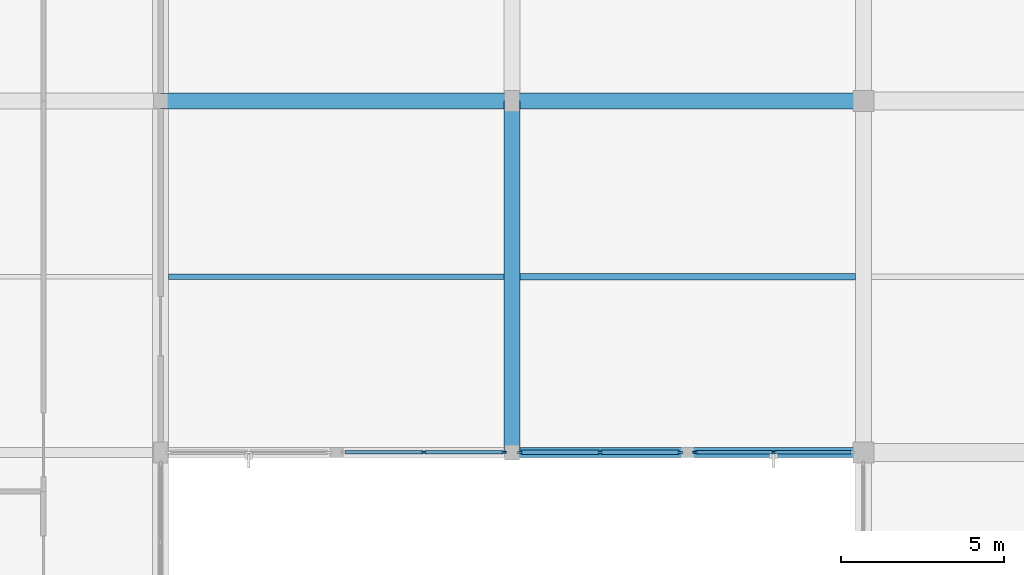
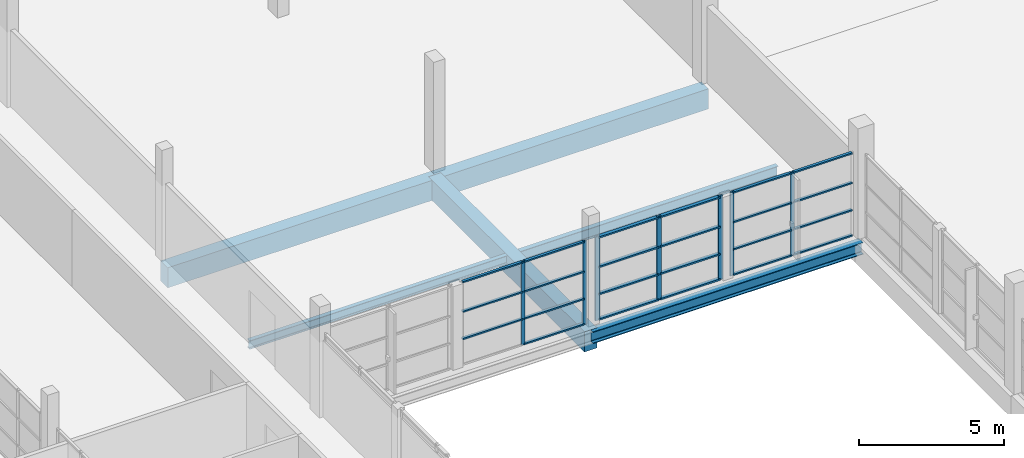
# One storey, part 35 of 142: 30 members, 6 beams, 3 elements without a shape of their own.
"""IFC4 building model written with IfcOpenShell, lengths in metres."""

from ifc_helpers import new_model, si_unit, direction, frame, origin, origin_2d, place, context, subcontext, project, spatial, rectangle, i_section, extrude, material, material_profile, profile_set, type_object, element, aggregate, save


model = new_model("IFC4")

# Units and contexts
model_context = context("Model", 3, precision=1e-05, world=origin(), true_north=direction((0.0, 1.0)))
body_context = subcontext(model_context, "Body", "Model", "MODEL_VIEW")
ifc_project = project(units=[si_unit("LENGTHUNIT", "METRE"), si_unit("AREAUNIT", "SQUARE_METRE"), si_unit("VOLUMEUNIT", "CUBIC_METRE"), si_unit("PLANEANGLEUNIT", "RADIAN"), si_unit("MASSUNIT", "GRAM", prefix="KILO")], contexts=[model_context])

# Site, building, storey
site_placement = place(None, origin())
site = spatial("IfcSite", under=ifc_project, at=site_placement, CompositionType="ELEMENT")
building_placement = place(site_placement, origin())
building = spatial("IfcBuilding", under=site, at=building_placement, Name="Zwinboog Wholesale Market", CompositionType="ELEMENT")
storey_placement = place(building_placement, frame((0.0, 0.0, 5.39990234375)))
storey = spatial("IfcBuildingStorey", under=building, at=storey_placement, Name="L01", CompositionType="ELEMENT", Elevation=5.39990234375)

# Beams
ifc_material_1 = material(Name="Precast concrete C45/55", Category="concrete")
ifc_material_profile_1 = material_profile(ifc_material_1, rectangle(XDim=0.5, YDim=0.85009765625, at=origin_2d()), Name="PC 500x850")
ifc_profile_set_1 = profile_set([ifc_material_profile_1], Name="Precast concrete C45/55")
beam_type_1 = type_object("IfcBeamType", Name="BT-03", PredefinedType="BEAM", material=ifc_profile_set_1)
for number, where, z_axis, x_axis, name in (
    (1, (43.199951171875, 75.60009765625, -0.7568359375), (1.0, 0.0, 0.0), (0.0, 1.0, 0.0), "BG-03 (BMG-L01-0432-0756-0503)"),
    (2, (54.0, 75.60009765625, -0.7568359375), (1.0, 0.0, 0.0), (0.0, 1.0, 0.0), "BG-03 (BMG-L01-0540-0756-0504)"),
    (3, (54.0, 64.800048828125, -0.7568359375), (0.0, 1.0, 0.0), (-1.0, 0.0, 0.0), "BG-03 (BMG-L01-0540-0648-0659)"),
):
    element("IfcBeam", number, at=place(storey_placement, frame(where, z_axis=z_axis, x_axis=x_axis)), inside=storey, type_object=beam_type_1, Name=name, PredefinedType="BEAM", context=body_context, shape_type="SweptSolid", body=[
        extrude(rectangle(XDim=0.5, YDim=0.85009765625, at=origin_2d()), origin(), (0.0, 0.0, 1.0), 10.800048828125),
    ])
ifc_material_2 = material(Name="Steel S355", Category="steel")
ifc_material_profile_2 = material_profile(ifc_material_2, i_section(OverallWidth=0.300048828125, OverallDepth=0.5, WebThickness=0.014404296875, FlangeThickness=0.028076171875, FilletRadius=0.027099609375, at=origin_2d()), Name="HEB 500")
ifc_profile_set_2 = profile_set([ifc_material_profile_2], Name="Steel S355")
beam_type_2 = type_object("IfcBeamType", Name="BT-14", PredefinedType="BEAM", material=ifc_profile_set_2)
beam_1_placement = place(storey_placement, frame((54.0, 64.800048828125, -0.581787109375), z_axis=(1.0, 0.0, 0.0), x_axis=(0.0, 1.0, 0.0)))
element("IfcBeam", 4, at=beam_1_placement, inside=storey, type_object=beam_type_2, Name="SB-01 (BMG-L01-0540-0648-0494)", PredefinedType="BEAM", context=body_context, shape_type="SweptSolid", body=[
    extrude(i_section(OverallWidth=0.300048828125, OverallDepth=0.5, WebThickness=0.014404296875, FlangeThickness=0.028076171875, FilletRadius=0.027099609375, at=origin_2d()), origin(), (0.0, 0.0, 1.0), 10.800048828125),
])
ifc_material_profile_3 = material_profile(ifc_material_2, i_section(OverallWidth=0.18994140625, OverallDepth=0.449951171875, WebThickness=0.009521484375, FlangeThickness=0.0146484375, FilletRadius=0.02099609375, at=origin_2d()), Name="IPE 450")
ifc_profile_set_3 = profile_set([ifc_material_profile_3], Name="Steel S355")
beam_type_3 = type_object("IfcBeamType", Name="BT-19", PredefinedType="JOIST", material=ifc_profile_set_3)
beam_2_placement = place(storey_placement, frame((54.25, 70.199951171875, -0.556884765625), z_axis=(1.0, 0.0, 0.0), x_axis=(0.0, 1.0, 0.0)))
element("IfcBeam", 5, at=beam_2_placement, inside=storey, type_object=beam_type_3, Name="SJ-02 (BMG-L01-0542-0702-0813)", PredefinedType="JOIST", context=body_context, shape_type="SweptSolid", body=[
    extrude(i_section(OverallWidth=0.18994140625, OverallDepth=0.449951171875, WebThickness=0.009521484375, FlangeThickness=0.0146484375, FilletRadius=0.02099609375, at=origin_2d()), origin(), (0.0, 0.0, 1.0), 10.300048828125),
])
ifc_material_profile_4 = material_profile(ifc_material_2, i_section(OverallWidth=0.169921875, OverallDepth=0.360107421875, WebThickness=0.008056640625, FlangeThickness=0.0126953125, FilletRadius=0.01806640625, at=origin_2d()), Name="IPE 360")
ifc_profile_set_4 = profile_set([ifc_material_profile_4], Name="Steel S355")
beam_type_4 = type_object("IfcBeamType", Name="BT-20", PredefinedType="JOIST", material=ifc_profile_set_4)
beam_3_placement = place(storey_placement, frame((43.449951171875, 70.199951171875, -0.511962890625), z_axis=(1.0, 0.0, 0.0), x_axis=(0.0, 1.0, 0.0)))
element("IfcBeam", 6, at=beam_3_placement, inside=storey, type_object=beam_type_4, Name="SJ-03 (BMG-L01-0434-0702-0809)", PredefinedType="JOIST", context=body_context, shape_type="SweptSolid", body=[
    extrude(i_section(OverallWidth=0.169921875, OverallDepth=0.360107421875, WebThickness=0.008056640625, FlangeThickness=0.0126953125, FilletRadius=0.01806640625, at=origin_2d()), origin(), (0.0, 0.0, 1.0), 10.300048828125),
])

# Curtain wall, members
ifc_material_3 = material(Name="Aluminium thermally broken curtain wall", Category="aluminium")
curtain_wall_type_1 = type_object("IfcCurtainWallType", Name="CWT-CAFE-22", PredefinedType="USERDEFINED", material=ifc_material_3)
curtain_wall_1_placement = place(storey_placement, origin())
curtain_wall_1 = element("IfcCurtainWall", 7, at=curtain_wall_1_placement, inside=storey, type_object=curtain_wall_type_1, Name="CW-05 (CW-L01-083)", ObjectType="STOREFRONT_GLAZING", PredefinedType="USERDEFINED")
ifc_material_4 = material(Name="Aluminium EN AW-6060", Category="aluminium")
ifc_material_profile_5 = material_profile(ifc_material_4, rectangle(XDim=0.06494140625, YDim=0.179931640625, at=origin_2d()), Name="AL 65x180")
ifc_profile_set_5 = profile_set([ifc_material_profile_5], Name="Aluminium EN AW-6060")
member_type_1 = type_object("IfcMemberType", Name="CWM-65x180", PredefinedType="MULLION", material=ifc_profile_set_5)
member_1_placement = place(storey_placement, frame((54.25244140625, 64.800048828125, 0.0), z_axis=(0.0, 0.0, 1.0), x_axis=(0.0, 1.0, 0.0)))
member_1 = element("IfcMember", 8, at=member_1_placement, type_object=member_type_1, Name="CW-05 mullion 1", PredefinedType="MULLION", context=body_context, shape_type="SweptSolid", body=[
    extrude(rectangle(XDim=0.06494140625, YDim=0.179931640625, at=origin_2d()), origin(), (0.0, 0.0, 1.0), 3.530029296875),
])
member_2_placement = place(storey_placement, frame((56.7099609375, 64.800048828125, 0.0), z_axis=(0.0, 0.0, 1.0), x_axis=(0.0, 1.0, 0.0)))
member_2 = element("IfcMember", 9, at=member_2_placement, type_object=member_type_1, Name="CW-05 mullion 2", PredefinedType="MULLION", context=body_context, shape_type="SweptSolid", body=[
    extrude(rectangle(XDim=0.06494140625, YDim=0.179931640625, at=origin_2d()), origin(), (0.0, 0.0, 1.0), 3.530029296875),
])
member_3_placement = place(storey_placement, frame((59.16748046875, 64.800048828125, 0.0), z_axis=(0.0, 0.0, 1.0), x_axis=(0.0, 1.0, 0.0)))
member_3 = element("IfcMember", 10, at=member_3_placement, type_object=member_type_1, Name="CW-05 mullion 3", PredefinedType="MULLION", context=body_context, shape_type="SweptSolid", body=[
    extrude(rectangle(XDim=0.06494140625, YDim=0.179931640625, at=origin_2d()), origin(), (0.0, 0.0, 1.0), 3.530029296875),
])

curtain_wall_type_2 = type_object("IfcCurtainWallType", Name="CWT-GAL-16", PredefinedType="USERDEFINED", material=ifc_material_3)
curtain_wall_2_placement = place(storey_placement, origin())
curtain_wall_2 = element("IfcCurtainWall", 11, at=curtain_wall_2_placement, inside=storey, type_object=curtain_wall_type_2, Name="CW-04 (CW-L01-082)", ObjectType="UNITIZED_CURTAIN_WALL", PredefinedType="USERDEFINED")
ifc_material_profile_6 = material_profile(ifc_material_4, rectangle(XDim=0.06005859375, YDim=0.14990234375, at=origin_2d()), Name="AL 60x150")
ifc_profile_set_6 = profile_set([ifc_material_profile_6], Name="Aluminium EN AW-6060")
member_type_2 = type_object("IfcMemberType", Name="CWM-60x150", PredefinedType="MULLION", material=ifc_profile_set_6)
member_4_placement = place(storey_placement, frame((51.2900390625, 64.800048828125, 0.0), z_axis=(0.0, 0.0, 1.0), x_axis=(0.0, 1.0, 0.0)))
member_4 = element("IfcMember", 12, at=member_4_placement, type_object=member_type_2, Name="CW-04 mullion 2", PredefinedType="MULLION", context=body_context, shape_type="SweptSolid", body=[
    extrude(rectangle(XDim=0.06005859375, YDim=0.14990234375, at=origin_2d()), origin(), (0.0, 0.0, 1.0), 3.530029296875),
])
member_5_placement = place(storey_placement, frame((53.75, 64.800048828125, 0.0), z_axis=(0.0, 0.0, 1.0), x_axis=(0.0, 1.0, 0.0)))
member_5 = element("IfcMember", 13, at=member_5_placement, type_object=member_type_2, Name="CW-04 mullion 3", PredefinedType="MULLION", context=body_context, shape_type="SweptSolid", body=[
    extrude(rectangle(XDim=0.06005859375, YDim=0.14990234375, at=origin_2d()), origin(), (0.0, 0.0, 1.0), 3.530029296875),
])

curtain_wall_type_3 = type_object("IfcCurtainWallType", Name="CWT-OFF-15", PredefinedType="USERDEFINED", material=ifc_material_3)
curtain_wall_3_placement = place(storey_placement, origin())
curtain_wall_3 = element("IfcCurtainWall", 14, at=curtain_wall_3_placement, inside=storey, type_object=curtain_wall_type_3, Name="CW-06 (CW-L01-084)", ObjectType="UNITIZED_CURTAIN_WALL", PredefinedType="USERDEFINED")
member_6_placement = place(storey_placement, frame((59.6298828125, 64.800048828125, 0.0), z_axis=(0.0, 0.0, 1.0), x_axis=(0.0, 1.0, 0.0)))
member_6 = element("IfcMember", 15, at=member_6_placement, type_object=member_type_2, Name="CW-06 mullion 1", PredefinedType="MULLION", context=body_context, shape_type="SweptSolid", body=[
    extrude(rectangle(XDim=0.06005859375, YDim=0.14990234375, at=origin_2d()), origin(), (0.0, 0.0, 1.0), 3.530029296875),
])
member_7_placement = place(storey_placement, frame((62.0400390625, 64.800048828125, 0.0), z_axis=(0.0, 0.0, 1.0), x_axis=(0.0, 1.0, 0.0)))
member_7 = element("IfcMember", 16, at=member_7_placement, type_object=member_type_2, Name="CW-06 mullion 2", PredefinedType="MULLION", context=body_context, shape_type="SweptSolid", body=[
    extrude(rectangle(XDim=0.06005859375, YDim=0.14990234375, at=origin_2d()), origin(), (0.0, 0.0, 1.0), 3.530029296875),
])

# Member
ifc_material_profile_7 = material_profile(ifc_material_4, rectangle(XDim=0.139892578125, YDim=0.06494140625, at=origin_2d()), Name="AL 65x140")
ifc_profile_set_7 = profile_set([ifc_material_profile_7], Name="Aluminium EN AW-6060")
member_type_3 = type_object("IfcMemberType", Name="CWT-65x140", PredefinedType="USERDEFINED", material=ifc_profile_set_7)
member_8_placement = place(storey_placement, frame((54.284912109375, 64.800048828125, 0.03271484375), z_axis=(1.0, 0.0, 0.0), x_axis=(0.0, 1.0, 0.0)))
member_8 = element("IfcMember", 17, at=member_8_placement, type_object=member_type_3, Name="CW-05 transom 1.1", ObjectType="TRANSOM", PredefinedType="USERDEFINED", context=body_context, shape_type="SweptSolid", body=[
    extrude(rectangle(XDim=0.139892578125, YDim=0.06494140625, at=origin_2d()), origin(), (0.0, 0.0, 1.0), 2.392578125),
])

member_9_placement = place(storey_placement, frame((54.284912109375, 64.800048828125, 1.10009765625), z_axis=(1.0, 0.0, 0.0), x_axis=(0.0, 1.0, 0.0)))
member_9 = element("IfcMember", 18, at=member_9_placement, type_object=member_type_3, Name="CW-05 transom 1.2", ObjectType="TRANSOM", PredefinedType="USERDEFINED", context=body_context, shape_type="SweptSolid", body=[
    extrude(rectangle(XDim=0.139892578125, YDim=0.06494140625, at=origin_2d()), origin(), (0.0, 0.0, 1.0), 2.392578125),
])

member_10_placement = place(storey_placement, frame((54.284912109375, 64.800048828125, 2.25), z_axis=(1.0, 0.0, 0.0), x_axis=(0.0, 1.0, 0.0)))
member_10 = element("IfcMember", 19, at=member_10_placement, type_object=member_type_3, Name="CW-05 transom 1.3", ObjectType="TRANSOM", PredefinedType="USERDEFINED", context=body_context, shape_type="SweptSolid", body=[
    extrude(rectangle(XDim=0.139892578125, YDim=0.06494140625, at=origin_2d()), origin(), (0.0, 0.0, 1.0), 2.392578125),
])

member_11_placement = place(storey_placement, frame((54.284912109375, 64.800048828125, 3.49755859375), z_axis=(1.0, 0.0, 0.0), x_axis=(0.0, 1.0, 0.0)))
member_11 = element("IfcMember", 20, at=member_11_placement, type_object=member_type_3, Name="CW-05 transom 1.4", ObjectType="TRANSOM", PredefinedType="USERDEFINED", context=body_context, shape_type="SweptSolid", body=[
    extrude(rectangle(XDim=0.139892578125, YDim=0.06494140625, at=origin_2d()), origin(), (0.0, 0.0, 1.0), 2.392578125),
])

member_12_placement = place(storey_placement, frame((56.742431640625, 64.800048828125, 0.03271484375), z_axis=(1.0, 0.0, 0.0), x_axis=(0.0, 1.0, 0.0)))
member_12 = element("IfcMember", 21, at=member_12_placement, type_object=member_type_3, Name="CW-05 transom 2.1", ObjectType="TRANSOM", PredefinedType="USERDEFINED", context=body_context, shape_type="SweptSolid", body=[
    extrude(rectangle(XDim=0.139892578125, YDim=0.06494140625, at=origin_2d()), origin(), (0.0, 0.0, 1.0), 2.392578125),
])

member_13_placement = place(storey_placement, frame((56.742431640625, 64.800048828125, 1.10009765625), z_axis=(1.0, 0.0, 0.0), x_axis=(0.0, 1.0, 0.0)))
member_13 = element("IfcMember", 22, at=member_13_placement, type_object=member_type_3, Name="CW-05 transom 2.2", ObjectType="TRANSOM", PredefinedType="USERDEFINED", context=body_context, shape_type="SweptSolid", body=[
    extrude(rectangle(XDim=0.139892578125, YDim=0.06494140625, at=origin_2d()), origin(), (0.0, 0.0, 1.0), 2.392578125),
])

member_14_placement = place(storey_placement, frame((56.742431640625, 64.800048828125, 2.25), z_axis=(1.0, 0.0, 0.0), x_axis=(0.0, 1.0, 0.0)))
member_14 = element("IfcMember", 23, at=member_14_placement, type_object=member_type_3, Name="CW-05 transom 2.3", ObjectType="TRANSOM", PredefinedType="USERDEFINED", context=body_context, shape_type="SweptSolid", body=[
    extrude(rectangle(XDim=0.139892578125, YDim=0.06494140625, at=origin_2d()), origin(), (0.0, 0.0, 1.0), 2.392578125),
])

member_15_placement = place(storey_placement, frame((56.742431640625, 64.800048828125, 3.49755859375), z_axis=(1.0, 0.0, 0.0), x_axis=(0.0, 1.0, 0.0)))
member_15 = element("IfcMember", 24, at=member_15_placement, type_object=member_type_3, Name="CW-05 transom 2.4", ObjectType="TRANSOM", PredefinedType="USERDEFINED", context=body_context, shape_type="SweptSolid", body=[
    extrude(rectangle(XDim=0.139892578125, YDim=0.06494140625, at=origin_2d()), origin(), (0.0, 0.0, 1.0), 2.392578125),
])

aggregate(curtain_wall_1, [member_1, member_2, member_3, member_8, member_9, member_10, member_11, member_12, member_13, member_14, member_15])

ifc_material_profile_8 = material_profile(ifc_material_4, rectangle(XDim=0.110107421875, YDim=0.06005859375, at=origin_2d()), Name="AL 60x110")
ifc_profile_set_8 = profile_set([ifc_material_profile_8], Name="Aluminium EN AW-6060")
member_type_4 = type_object("IfcMemberType", Name="CWT-60x110", PredefinedType="USERDEFINED", material=ifc_profile_set_8)
member_16_placement = place(storey_placement, frame((48.860107421875, 64.800048828125, 1.10009765625), z_axis=(1.0, 0.0, 0.0), x_axis=(0.0, 1.0, 0.0)))
member_16 = element("IfcMember", 25, at=member_16_placement, type_object=member_type_4, Name="CW-04 transom 1.2", ObjectType="TRANSOM", PredefinedType="USERDEFINED", context=body_context, shape_type="SweptSolid", body=[
    extrude(rectangle(XDim=0.110107421875, YDim=0.06005859375, at=origin_2d()), origin(), (0.0, 0.0, 1.0), 2.39990234375),
])

member_17_placement = place(storey_placement, frame((48.860107421875, 64.800048828125, 2.25), z_axis=(1.0, 0.0, 0.0), x_axis=(0.0, 1.0, 0.0)))
member_17 = element("IfcMember", 26, at=member_17_placement, type_object=member_type_4, Name="CW-04 transom 1.3", ObjectType="TRANSOM", PredefinedType="USERDEFINED", context=body_context, shape_type="SweptSolid", body=[
    extrude(rectangle(XDim=0.110107421875, YDim=0.06005859375, at=origin_2d()), origin(), (0.0, 0.0, 1.0), 2.39990234375),
])

member_18_placement = place(storey_placement, frame((48.860107421875, 64.800048828125, 3.5), z_axis=(1.0, 0.0, 0.0), x_axis=(0.0, 1.0, 0.0)))
member_18 = element("IfcMember", 27, at=member_18_placement, type_object=member_type_4, Name="CW-04 transom 1.4", ObjectType="TRANSOM", PredefinedType="USERDEFINED", context=body_context, shape_type="SweptSolid", body=[
    extrude(rectangle(XDim=0.110107421875, YDim=0.06005859375, at=origin_2d()), origin(), (0.0, 0.0, 1.0), 2.39990234375),
])

member_19_placement = place(storey_placement, frame((51.320068359375, 64.800048828125, 0.030029296875), z_axis=(1.0, 0.0, 0.0), x_axis=(0.0, 1.0, 0.0)))
member_19 = element("IfcMember", 28, at=member_19_placement, type_object=member_type_4, Name="CW-04 transom 2.1", ObjectType="TRANSOM", PredefinedType="USERDEFINED", context=body_context, shape_type="SweptSolid", body=[
    extrude(rectangle(XDim=0.110107421875, YDim=0.06005859375, at=origin_2d()), origin(), (0.0, 0.0, 1.0), 2.39990234375),
])

member_20_placement = place(storey_placement, frame((51.320068359375, 64.800048828125, 1.10009765625), z_axis=(1.0, 0.0, 0.0), x_axis=(0.0, 1.0, 0.0)))
member_20 = element("IfcMember", 29, at=member_20_placement, type_object=member_type_4, Name="CW-04 transom 2.2", ObjectType="TRANSOM", PredefinedType="USERDEFINED", context=body_context, shape_type="SweptSolid", body=[
    extrude(rectangle(XDim=0.110107421875, YDim=0.06005859375, at=origin_2d()), origin(), (0.0, 0.0, 1.0), 2.39990234375),
])

member_21_placement = place(storey_placement, frame((51.320068359375, 64.800048828125, 2.25), z_axis=(1.0, 0.0, 0.0), x_axis=(0.0, 1.0, 0.0)))
member_21 = element("IfcMember", 30, at=member_21_placement, type_object=member_type_4, Name="CW-04 transom 2.3", ObjectType="TRANSOM", PredefinedType="USERDEFINED", context=body_context, shape_type="SweptSolid", body=[
    extrude(rectangle(XDim=0.110107421875, YDim=0.06005859375, at=origin_2d()), origin(), (0.0, 0.0, 1.0), 2.39990234375),
])

member_22_placement = place(storey_placement, frame((51.320068359375, 64.800048828125, 3.5), z_axis=(1.0, 0.0, 0.0), x_axis=(0.0, 1.0, 0.0)))
member_22 = element("IfcMember", 31, at=member_22_placement, type_object=member_type_4, Name="CW-04 transom 2.4", ObjectType="TRANSOM", PredefinedType="USERDEFINED", context=body_context, shape_type="SweptSolid", body=[
    extrude(rectangle(XDim=0.110107421875, YDim=0.06005859375, at=origin_2d()), origin(), (0.0, 0.0, 1.0), 2.39990234375),
])

aggregate(curtain_wall_2, [member_4, member_5, member_16, member_17, member_18, member_19, member_20, member_21, member_22])

member_23_placement = place(storey_placement, frame((59.659912109375, 64.800048828125, 0.030029296875), z_axis=(1.0, 0.0, 0.0), x_axis=(0.0, 1.0, 0.0)))
member_23 = element("IfcMember", 32, at=member_23_placement, type_object=member_type_4, Name="CW-06 transom 1.1", ObjectType="TRANSOM", PredefinedType="USERDEFINED", context=body_context, shape_type="SweptSolid", body=[
    extrude(rectangle(XDim=0.110107421875, YDim=0.06005859375, at=origin_2d()), origin(), (0.0, 0.0, 1.0), 2.35009765625),
])

member_24_placement = place(storey_placement, frame((59.659912109375, 64.800048828125, 1.10009765625), z_axis=(1.0, 0.0, 0.0), x_axis=(0.0, 1.0, 0.0)))
member_24 = element("IfcMember", 33, at=member_24_placement, type_object=member_type_4, Name="CW-06 transom 1.2", ObjectType="TRANSOM", PredefinedType="USERDEFINED", context=body_context, shape_type="SweptSolid", body=[
    extrude(rectangle(XDim=0.110107421875, YDim=0.06005859375, at=origin_2d()), origin(), (0.0, 0.0, 1.0), 2.35009765625),
])

member_25_placement = place(storey_placement, frame((59.659912109375, 64.800048828125, 2.25), z_axis=(1.0, 0.0, 0.0), x_axis=(0.0, 1.0, 0.0)))
member_25 = element("IfcMember", 34, at=member_25_placement, type_object=member_type_4, Name="CW-06 transom 1.3", ObjectType="TRANSOM", PredefinedType="USERDEFINED", context=body_context, shape_type="SweptSolid", body=[
    extrude(rectangle(XDim=0.110107421875, YDim=0.06005859375, at=origin_2d()), origin(), (0.0, 0.0, 1.0), 2.35009765625),
])

member_26_placement = place(storey_placement, frame((59.659912109375, 64.800048828125, 3.5), z_axis=(1.0, 0.0, 0.0), x_axis=(0.0, 1.0, 0.0)))
member_26 = element("IfcMember", 35, at=member_26_placement, type_object=member_type_4, Name="CW-06 transom 1.4", ObjectType="TRANSOM", PredefinedType="USERDEFINED", context=body_context, shape_type="SweptSolid", body=[
    extrude(rectangle(XDim=0.110107421875, YDim=0.06005859375, at=origin_2d()), origin(), (0.0, 0.0, 1.0), 2.35009765625),
])

member_27_placement = place(storey_placement, frame((62.070068359375, 64.800048828125, 0.030029296875), z_axis=(1.0, 0.0, 0.0), x_axis=(0.0, 1.0, 0.0)))
member_27 = element("IfcMember", 36, at=member_27_placement, type_object=member_type_4, Name="CW-06 transom 2.1", ObjectType="TRANSOM", PredefinedType="USERDEFINED", context=body_context, shape_type="SweptSolid", body=[
    extrude(rectangle(XDim=0.110107421875, YDim=0.06005859375, at=origin_2d()), origin(), (0.0, 0.0, 1.0), 2.349853515625),
])

member_28_placement = place(storey_placement, frame((62.070068359375, 64.800048828125, 1.10009765625), z_axis=(1.0, 0.0, 0.0), x_axis=(0.0, 1.0, 0.0)))
member_28 = element("IfcMember", 37, at=member_28_placement, type_object=member_type_4, Name="CW-06 transom 2.2", ObjectType="TRANSOM", PredefinedType="USERDEFINED", context=body_context, shape_type="SweptSolid", body=[
    extrude(rectangle(XDim=0.110107421875, YDim=0.06005859375, at=origin_2d()), origin(), (0.0, 0.0, 1.0), 2.349853515625),
])

member_29_placement = place(storey_placement, frame((62.070068359375, 64.800048828125, 2.25), z_axis=(1.0, 0.0, 0.0), x_axis=(0.0, 1.0, 0.0)))
member_29 = element("IfcMember", 38, at=member_29_placement, type_object=member_type_4, Name="CW-06 transom 2.3", ObjectType="TRANSOM", PredefinedType="USERDEFINED", context=body_context, shape_type="SweptSolid", body=[
    extrude(rectangle(XDim=0.110107421875, YDim=0.06005859375, at=origin_2d()), origin(), (0.0, 0.0, 1.0), 2.349853515625),
])

member_30_placement = place(storey_placement, frame((62.070068359375, 64.800048828125, 3.5), z_axis=(1.0, 0.0, 0.0), x_axis=(0.0, 1.0, 0.0)))
member_30 = element("IfcMember", 39, at=member_30_placement, type_object=member_type_4, Name="CW-06 transom 2.4", ObjectType="TRANSOM", PredefinedType="USERDEFINED", context=body_context, shape_type="SweptSolid", body=[
    extrude(rectangle(XDim=0.110107421875, YDim=0.06005859375, at=origin_2d()), origin(), (0.0, 0.0, 1.0), 2.349853515625),
])

aggregate(curtain_wall_3, [member_6, member_7, member_23, member_24, member_25, member_26, member_27, member_28, member_29, member_30])

save(model, "model.ifc")
